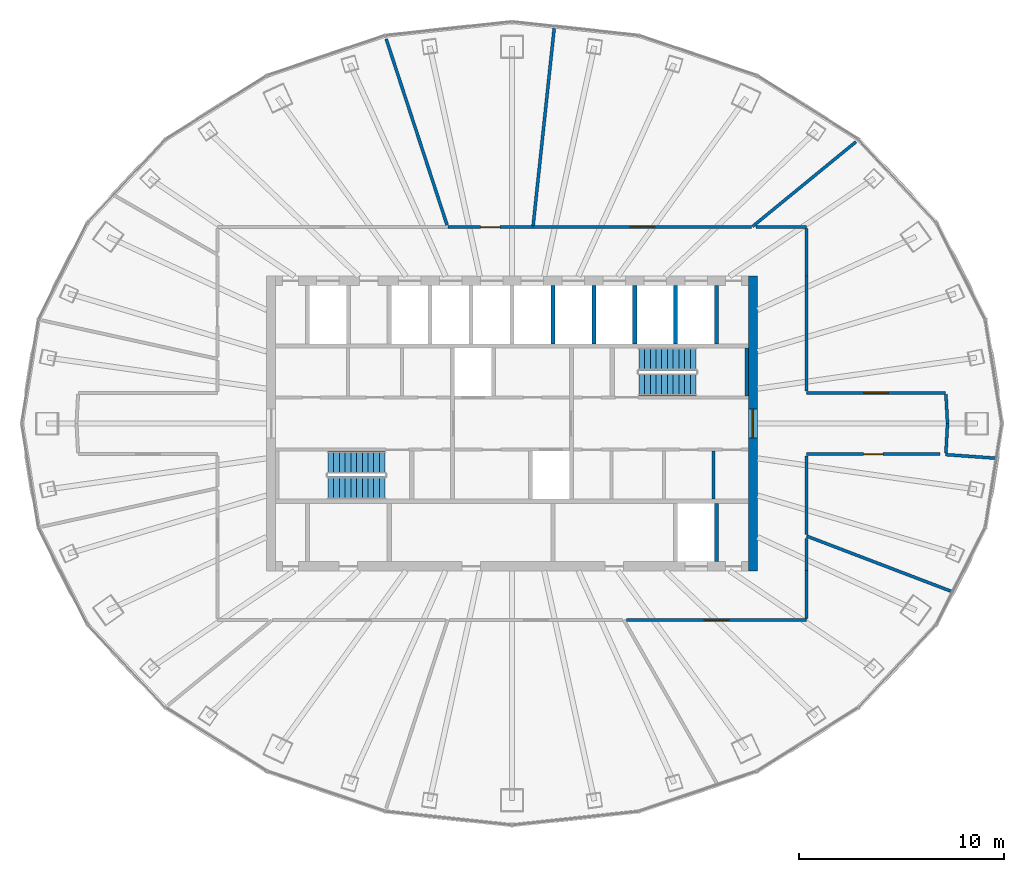
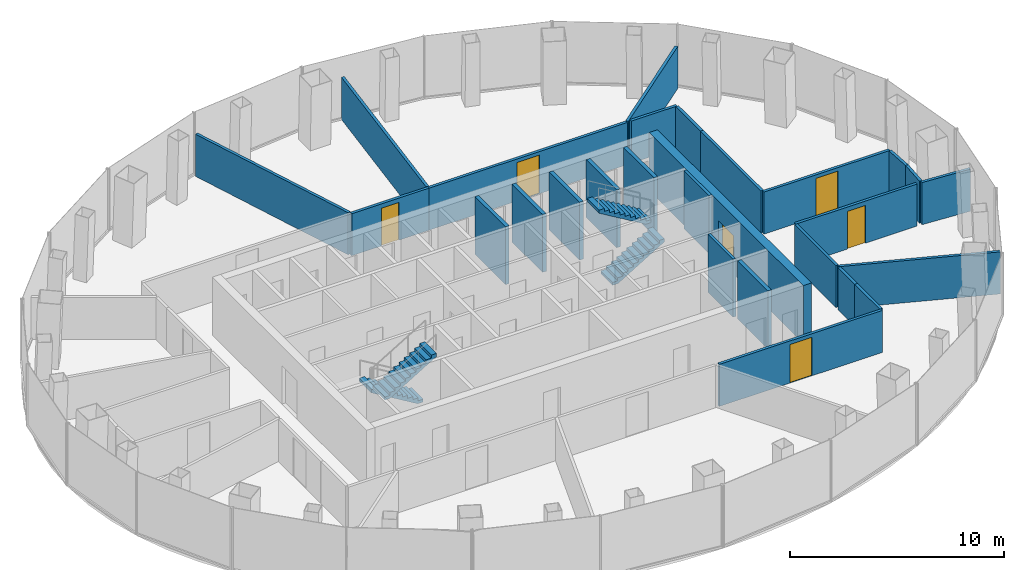
# One storey, part 9 of 10: 27 walls, 6 doors, 4 stair flights, 6 openings, 2 elements without a shape of their own.
"""IFC4 building model written with IfcOpenShell, lengths in metres."""

from ifc_helpers import new_model, si_unit, direction, frame, frame_2d, origin, place, context, subcontext, project, spatial, polyline, rectangle, outline, extrude, material, layer, layer_set, type_object, element, fill, aggregate, save


model = new_model("IFC4")

# Units and contexts
model_context = context("Model", 3, precision=1e-05, world=origin(), true_north=direction((0.0, 1.0)))
body_context = subcontext(model_context, "Body", "Model", "MODEL_VIEW")
ifc_project = project(units=[si_unit("LENGTHUNIT", "METRE"), si_unit("AREAUNIT", "SQUARE_METRE"), si_unit("VOLUMEUNIT", "CUBIC_METRE"), si_unit("PLANEANGLEUNIT", "RADIAN"), si_unit("MASSUNIT", "GRAM", prefix="KILO")], contexts=[model_context])

# Site, building, storey
site_placement = place(None, origin())
site = spatial("IfcSite", under=ifc_project, at=site_placement, CompositionType="ELEMENT")
building_placement = place(site_placement, origin())
building = spatial("IfcBuilding", under=site, at=building_placement, Name="Siaravel Broadcast Tower", CompositionType="ELEMENT")
storey_placement = place(building_placement, frame((0.0, 0.0, 164.5)))
storey = spatial("IfcBuildingStorey", under=building, at=storey_placement, Name="L39", CompositionType="ELEMENT", Elevation=164.5)

# Wall
ifc_material_1 = material(Name="Concrete blockwork", Category="masonry")
ifc_layer_1 = layer(ifc_material_1, 0.14990234375)
ifc_layer_set_1 = layer_set([ifc_layer_1], Name="Concrete blockwork")
wall_type_1 = type_object("IfcWallType", Name="Core partition 150", PredefinedType="PARTITIONING", material=ifc_layer_set_1)
wall_1_placement = place(storey_placement, frame((9.85498046875, -3.699951171875, 0.0), z_axis=(0.0, 0.0, 1.0), x_axis=(0.0, 1.0, 0.0)))
element("IfcWall", 1, at=wall_1_placement, inside=storey, type_object=wall_type_1, Name="L39 core partition PSE2", PredefinedType="PARTITIONING", context=body_context, shape_type="SweptSolid", body=[
    extrude(rectangle(XDim=2.349853515625, YDim=0.14990234375, at=frame_2d((1.1748046875, 0.0))), origin(), (0.0, 0.0, 1.0), 3.300048828125),
])

# Wall, opening, door
ifc_material_2 = material(Name="Concrete C60/75", Category="concrete")
ifc_layer_2 = layer(ifc_material_2, 0.449951171875)
ifc_layer_set_2 = layer_set([ifc_layer_2], Name="Concrete C60/75")
wall_type_2 = type_object("IfcWallType", Name="Core wall 450", PredefinedType="SHEAR", material=ifc_layer_set_2)
wall_2_placement = place(storey_placement, frame((11.77490234375, -7.199951171875, 0.0), z_axis=(0.0, 0.0, 1.0), x_axis=(0.0, 1.0, 0.0)))
wall_2 = element("IfcWall", 2, at=wall_2_placement, inside=storey, type_object=wall_type_2, Name="L39 core wall OE", PredefinedType="SHEAR", context=body_context, shape_type="SweptSolid", body=[
    extrude(rectangle(XDim=14.39990234375, YDim=0.449951171875, at=frame_2d((7.199951171875, 0.0))), origin(), (0.0, 0.0, 1.0), 3.300048828125),
])
opening_1_placement = place(wall_2_placement, frame((6.5, 0.0, 0.0)))
opening_1 = element("IfcOpeningElement", 3, at=opening_1_placement, cuts=wall_2, Name="Opening L39-DX-E", PredefinedType="OPENING", context=body_context, shape_type="SweptSolid", body=[
    extrude(rectangle(XDim=1.39990234375, YDim=2.199951171875, at=frame_2d((0.699951171875, 1.10009765625))), frame((0.0, 0.23486328125, 0.0), z_axis=(0.0, -1.0, 0.0), x_axis=(1.0, 0.0, 0.0)), (0.0, 0.0, 1.0), 0.469970703125),
])
ifc_material_3 = material(Name="Steel", Category="steel")
door_type_1 = type_object("IfcDoorType", Name="Core exit door 1400", OperationType="DOUBLE_DOOR_SINGLE_SWING", PredefinedType="DOOR", material=ifc_material_3)
door_1_placement = place(opening_1_placement, origin())
door_1 = element("IfcDoor", 4, at=door_1_placement, inside=storey, type_object=door_type_1, Name="L39 door DX-E", OperationType="DOUBLE_DOOR_SINGLE_SWING", OverallHeight=2.199951171875, OverallWidth=1.39990234375, PredefinedType="DOOR", context=body_context, shape_type="SweptSolid", body=[
    extrude(rectangle(XDim=1.39990234375, YDim=2.199951171875, at=frame_2d((0.699951171875, 1.10009765625))), frame((0.0, 0.02490234375, 0.0), z_axis=(0.0, -1.0, 0.0), x_axis=(1.0, 0.0, 0.0)), (0.0, 0.0, 1.0), 0.050048828125),
])
fill(opening_1, door_1)

ifc_material_4 = material(Name="Gypsum board partition", Category="gypsum")
ifc_layer_3 = layer(ifc_material_4, 0.14990234375)
ifc_layer_set_3 = layer_set([ifc_layer_3], Name="Gypsum board partition")
wall_type_3 = type_object("IfcWallType", Name="Corridor wall 150", PredefinedType="PARTITIONING", material=ifc_layer_set_3)
wall_3_placement = place(storey_placement, frame((11.719970703125, 9.60009765625, 0.0), z_axis=(0.0, 0.0, 1.0), x_axis=(-1.0, 0.0, 0.0)))
wall_3 = element("IfcWall", 5, at=wall_3_placement, inside=storey, type_object=wall_type_3, Name="L39 partition 2", PredefinedType="PARTITIONING", context=body_context, shape_type="SweptSolid", body=[
    extrude(rectangle(XDim=10.694580078125, YDim=0.14990234375, at=frame_2d((5.34716796875, 0.0))), origin(), (0.0, 0.0, 1.0), 2.39990234375),
])
opening_2_placement = place(wall_3_placement, frame((4.747314453125, 0.0, 0.0)))
opening_2 = element("IfcOpeningElement", 6, at=opening_2_placement, cuts=wall_3, Name="Opening L39-002", PredefinedType="OPENING", context=body_context, shape_type="SweptSolid", body=[
    extrude(rectangle(XDim=1.199951171875, YDim=2.199951171875, at=frame_2d((0.60009765625, 1.10009765625))), frame((0.0, 0.0849609375, 0.0), z_axis=(0.0, -1.0, 0.0), x_axis=(1.0, 0.0, 0.0)), (0.0, 0.0, 1.0), 0.169921875),
])
ifc_material_5 = material(Name="Timber veneer", Category="wood")
door_type_2 = type_object("IfcDoorType", Name="Office double door 1200", OperationType="DOUBLE_DOOR_SINGLE_SWING", PredefinedType="DOOR", material=ifc_material_5)
door_2_placement = place(opening_2_placement, origin())
door_2 = element("IfcDoor", 7, at=door_2_placement, inside=storey, type_object=door_type_2, Name="L39 door to Open plan office", OperationType="DOUBLE_DOOR_SINGLE_SWING", OverallHeight=2.199951171875, OverallWidth=1.199951171875, PredefinedType="DOOR", context=body_context, shape_type="SweptSolid", body=[
    extrude(rectangle(XDim=1.199951171875, YDim=2.199951171875, at=frame_2d((0.60009765625, 1.10009765625))), frame((0.0, 0.02490234375, 0.0), z_axis=(0.0, -1.0, 0.0), x_axis=(1.0, 0.0, 0.0)), (0.0, 0.0, 1.0), 0.050048828125),
])
fill(opening_2, door_2)

wall_4_placement = place(storey_placement, frame((5.59619140625, -9.60009765625, 0.0), z_axis=(0.0, 0.0, 1.0), x_axis=(1.0, 0.0, 0.0)))
wall_4 = element("IfcWall", 8, at=wall_4_placement, inside=storey, type_object=wall_type_3, Name="L39 partition 7", PredefinedType="PARTITIONING", context=body_context, shape_type="SweptSolid", body=[
    extrude(rectangle(XDim=8.8037109375, YDim=0.14990234375, at=frame_2d((4.40185546875, 0.0))), origin(), (0.0, 0.0, 1.0), 2.39990234375),
])
opening_3_placement = place(wall_4_placement, frame((3.802001953125, 0.0, 0.0)))
opening_3 = element("IfcOpeningElement", 9, at=opening_3_placement, cuts=wall_4, Name="Opening L39-010", PredefinedType="OPENING", context=body_context, shape_type="SweptSolid", body=[
    extrude(rectangle(XDim=1.199951171875, YDim=2.199951171875, at=frame_2d((0.60009765625, 1.10009765625))), frame((0.0, 0.0849609375, 0.0), z_axis=(0.0, -1.0, 0.0), x_axis=(1.0, 0.0, 0.0)), (0.0, 0.0, 1.0), 0.169921875),
])
door_3_placement = place(opening_3_placement, origin())
door_3 = element("IfcDoor", 10, at=door_3_placement, inside=storey, type_object=door_type_2, Name="L39 door to Open plan office", OperationType="DOUBLE_DOOR_SINGLE_SWING", OverallHeight=2.199951171875, OverallWidth=1.199951171875, PredefinedType="DOOR", context=body_context, shape_type="SweptSolid", body=[
    extrude(rectangle(XDim=1.199951171875, YDim=2.199951171875, at=frame_2d((0.60009765625, 1.10009765625))), frame((0.0, 0.02490234375, 0.0), z_axis=(0.0, -1.0, 0.0), x_axis=(1.0, 0.0, 0.0)), (0.0, 0.0, 1.0), 0.050048828125),
])
fill(opening_3, door_3)

wall_5_placement = place(storey_placement, frame((21.20166015625, 1.5, 0.0), z_axis=(0.0, 0.0, 1.0), x_axis=(-0.999999948, 0.000323148, 0.0)))
wall_5 = element("IfcWall", 11, at=wall_5_placement, inside=storey, type_object=wall_type_3, Name="L39 partition 15", PredefinedType="PARTITIONING", context=body_context, shape_type="SweptSolid", body=[
    extrude(rectangle(XDim=6.799560546875, YDim=0.14990234375, at=frame_2d((3.39990234375, 0.0))), origin(), (0.0, 0.0, 1.0), 2.39990234375),
])
opening_4_placement = place(wall_5_placement, frame((2.7998046875, 0.0, 0.0)))
opening_4 = element("IfcOpeningElement", 12, at=opening_4_placement, cuts=wall_5, Name="Opening L39-001", PredefinedType="OPENING", context=body_context, shape_type="SweptSolid", body=[
    extrude(rectangle(XDim=1.199951171875, YDim=2.199951171875, at=frame_2d((0.60009765625, 1.10009765625))), frame((0.0, 0.0849609375, 0.0), z_axis=(0.0, -1.0, 0.0), x_axis=(1.0, 0.0, 0.0)), (0.0, 0.0, 1.0), 0.169921875),
])
door_4_placement = place(opening_4_placement, origin())
door_4 = element("IfcDoor", 13, at=door_4_placement, inside=storey, type_object=door_type_2, Name="L39 door to Open plan office", OperationType="DOUBLE_DOOR_SINGLE_SWING", OverallHeight=2.199951171875, OverallWidth=1.199951171875, PredefinedType="DOOR", context=body_context, shape_type="SweptSolid", body=[
    extrude(rectangle(XDim=1.199951171875, YDim=2.199951171875, at=frame_2d((0.60009765625, 1.10009765625))), frame((0.0, 0.02490234375, 0.0), z_axis=(0.0, -1.0, 0.0), x_axis=(1.0, 0.0, 0.0)), (0.0, 0.0, 1.0), 0.050048828125),
])
fill(opening_4, door_4)

wall_6_placement = place(storey_placement, frame((14.39990234375, -1.5, 0.0), z_axis=(0.0, 0.0, 1.0), x_axis=(1.0, 0.0, 0.0)))
wall_6 = element("IfcWall", 14, at=wall_6_placement, inside=storey, type_object=wall_type_3, Name="L39 partition 18", PredefinedType="PARTITIONING", context=body_context, shape_type="SweptSolid", body=[
    extrude(rectangle(XDim=6.531982421875, YDim=0.14990234375, at=frame_2d((3.26611328125, 0.0))), origin(), (0.0, 0.0, 1.0), 2.39990234375),
])
opening_5_placement = place(wall_6_placement, frame((2.791015625, 0.0, 0.0)))
opening_5 = element("IfcOpeningElement", 15, at=opening_5_placement, cuts=wall_6, Name="Opening L39-011", PredefinedType="OPENING", context=body_context, shape_type="SweptSolid", body=[
    extrude(rectangle(XDim=0.949951171875, YDim=2.14990234375, at=frame_2d((0.47509765625, 1.074951171875))), frame((0.0, 0.0849609375, 0.0), z_axis=(0.0, -1.0, 0.0), x_axis=(1.0, 0.0, 0.0)), (0.0, 0.0, 1.0), 0.169921875),
])
door_type_3 = type_object("IfcDoorType", Name="Office door 950", OperationType="SINGLE_SWING_LEFT", PredefinedType="DOOR", material=ifc_material_5)
door_5_placement = place(opening_5_placement, origin())
door_5 = element("IfcDoor", 16, at=door_5_placement, inside=storey, type_object=door_type_3, Name="L39 door to Office", OperationType="SINGLE_SWING_LEFT", OverallHeight=2.14990234375, OverallWidth=0.949951171875, PredefinedType="DOOR", context=body_context, shape_type="SweptSolid", body=[
    extrude(rectangle(XDim=0.949951171875, YDim=2.14990234375, at=frame_2d((0.47509765625, 1.074951171875))), frame((0.0, 0.02490234375, 0.0), z_axis=(0.0, -1.0, 0.0), x_axis=(1.0, 0.0, 0.0)), (0.0, 0.0, 1.0), 0.050048828125),
])
fill(opening_5, door_5)

# Wall
wall_7_placement = place(storey_placement, frame((14.402099609375, 1.5791015625, 0.0), z_axis=(0.0, 0.0, 1.0), x_axis=(0.0, 1.0, 0.0)))
element("IfcWall", 17, at=wall_7_placement, inside=storey, type_object=wall_type_3, Name="L39 partition 20", PredefinedType="PARTITIONING", context=body_context, shape_type="SweptSolid", body=[
    extrude(rectangle(XDim=5.6328125, YDim=0.14990234375, at=frame_2d((2.81640625, 0.0))), origin(), (0.0, 0.0, 1.0), 2.39990234375),
])

# Wall, opening, door
wall_8_placement = place(storey_placement, frame((1.025390625, 9.60009765625, 0.0), z_axis=(0.0, 0.0, 1.0), x_axis=(-1.0, 0.0, 0.0)))
wall_8 = element("IfcWall", 18, at=wall_8_placement, inside=storey, type_object=wall_type_3, Name="L39 partition 21", PredefinedType="PARTITIONING", context=body_context, shape_type="SweptSolid", body=[
    extrude(rectangle(XDim=4.164794921875, YDim=0.14990234375, at=frame_2d((2.08251953125, 0.0))), origin(), (0.0, 0.0, 1.0), 2.39990234375),
])
opening_6_placement = place(wall_8_placement, frame((1.607421875, 0.0, 0.0)))
opening_6 = element("IfcOpeningElement", 19, at=opening_6_placement, cuts=wall_8, Name="Opening L39-003", PredefinedType="OPENING", context=body_context, shape_type="SweptSolid", body=[
    extrude(rectangle(XDim=0.949951171875, YDim=2.14990234375, at=frame_2d((0.47509765625, 1.074951171875))), frame((0.0, 0.0849609375, 0.0), z_axis=(0.0, -1.0, 0.0), x_axis=(1.0, 0.0, 0.0)), (0.0, 0.0, 1.0), 0.169921875),
])
door_6_placement = place(opening_6_placement, origin())
door_6 = element("IfcDoor", 20, at=door_6_placement, inside=storey, type_object=door_type_3, Name="L39 door to Reception", OperationType="SINGLE_SWING_LEFT", OverallHeight=2.14990234375, OverallWidth=0.949951171875, PredefinedType="DOOR", context=body_context, shape_type="SweptSolid", body=[
    extrude(rectangle(XDim=0.949951171875, YDim=2.14990234375, at=frame_2d((0.47509765625, 1.074951171875))), frame((0.0, 0.02490234375, 0.0), z_axis=(0.0, -1.0, 0.0), x_axis=(1.0, 0.0, 0.0)), (0.0, 0.0, 1.0), 0.050048828125),
])
fill(opening_6, door_6)

# Walls
wall_9_placement = place(storey_placement, frame((14.39990234375, -5.42822265625, 0.0), z_axis=(0.0, 0.0, 1.0), x_axis=(0.0, 1.0, 0.0)))
element("IfcWall", 21, at=wall_9_placement, inside=storey, type_object=wall_type_3, Name="L39 partition 24", PredefinedType="PARTITIONING", context=body_context, shape_type="SweptSolid", body=[
    extrude(rectangle(XDim=3.851318359375, YDim=0.14990234375, at=frame_2d((1.92578125, 0.0))), origin(), (0.0, 0.0, 1.0), 2.39990234375),
])
wall_10_placement = place(storey_placement, frame((14.402099609375, 9.60205078125, 0.0), z_axis=(0.0, 0.0, 1.0), x_axis=(-1.0, 0.0, 0.0)))
element("IfcWall", 22, at=wall_10_placement, inside=storey, type_object=wall_type_3, Name="L39 partition 26", PredefinedType="PARTITIONING", context=body_context, shape_type="SweptSolid", body=[
    extrude(rectangle(XDim=2.4677734375, YDim=0.14990234375, at=frame_2d((1.23388671875, 0.0))), origin(), (0.0, 0.0, 1.0), 2.39990234375),
])
wall_11_placement = place(storey_placement, frame((14.402099609375, 7.212890625, 0.0), z_axis=(0.0, 0.0, 1.0), x_axis=(0.0, 1.0, 0.0)))
element("IfcWall", 23, at=wall_11_placement, inside=storey, type_object=wall_type_3, Name="L39 partition 28", PredefinedType="PARTITIONING", context=body_context, shape_type="SweptSolid", body=[
    extrude(rectangle(XDim=2.31201171875, YDim=0.14990234375, at=frame_2d((1.156005859375, 0.0))), origin(), (0.0, 0.0, 1.0), 2.39990234375),
])
wall_12_placement = place(storey_placement, frame((14.39990234375, -9.52294921875, 0.0), z_axis=(0.0, 0.0, 1.0), x_axis=(0.0, 1.0, 0.0)))
element("IfcWall", 24, at=wall_12_placement, inside=storey, type_object=wall_type_3, Name="L39 partition 30", PredefinedType="PARTITIONING", context=body_context, shape_type="SweptSolid", body=[
    extrude(rectangle(XDim=2.3349609375, YDim=0.14990234375, at=frame_2d((1.16748046875, 0.0))), origin(), (0.0, 0.0, 1.0), 2.39990234375),
])
wall_13_placement = place(storey_placement, frame((14.39990234375, -7.18701171875, 0.0), z_axis=(0.0, 0.0, 1.0), x_axis=(0.0, 1.0, 0.0)))
element("IfcWall", 25, at=wall_13_placement, inside=storey, type_object=wall_type_3, Name="L39 partition 31", PredefinedType="PARTITIONING", context=body_context, shape_type="SweptSolid", body=[
    extrude(rectangle(XDim=1.575927734375, YDim=0.14990234375, at=frame_2d((0.7880859375, 0.0))), origin(), (0.0, 0.0, 1.0), 2.39990234375),
])
wall_14_placement = place(storey_placement, frame((21.21240234375, -1.442626953125, 0.0), z_axis=(0.0, 0.0, 1.0), x_axis=(0.053232927, 0.998582123, 0.0)))
element("IfcWall", 26, at=wall_14_placement, inside=storey, type_object=wall_type_3, Name="L39 partition 34", PredefinedType="PARTITIONING", context=body_context, shape_type="SweptSolid", body=[
    extrude(rectangle(XDim=1.444580078125, YDim=0.14990234375, at=frame_2d((0.72216796875, 0.0))), origin(), (0.0, 0.0, 1.0), 2.39990234375),
])
wall_15_placement = place(storey_placement, frame((21.288818359375, 0.010009765625, 0.0), z_axis=(0.0, 0.0, 1.0), x_axis=(-0.053271351, 0.998580073, 0.0)))
element("IfcWall", 27, at=wall_15_placement, inside=storey, type_object=wall_type_3, Name="L39 partition 37", PredefinedType="PARTITIONING", context=body_context, shape_type="SweptSolid", body=[
    extrude(rectangle(XDim=1.420654296875, YDim=0.14990234375, at=frame_2d((0.71044921875, 0.0))), origin(), (0.0, 0.0, 1.0), 2.39990234375),
])
ifc_layer_4 = layer(ifc_material_4, 0.14990234375)
ifc_layer_set_4 = layer_set([ifc_layer_4], Name="Gypsum board partition")
wall_type_4 = type_object("IfcWallType", Name="Room partition 150", PredefinedType="PARTITIONING", material=ifc_layer_set_4)
wall_16_placement = place(storey_placement, frame((2.0712890625, 19.393310546875, 0.0), z_axis=(0.0, 0.0, 1.0), x_axis=(-0.106198491, -0.99434495, 0.0)))
element("IfcWall", 28, at=wall_16_placement, inside=storey, type_object=wall_type_4, Name="L39 partition 3", PredefinedType="PARTITIONING", context=body_context, shape_type="SweptSolid", body=[
    extrude(rectangle(XDim=9.763427734375, YDim=0.14990234375, at=frame_2d((4.8818359375, 0.0))), origin(), (0.0, 0.0, 1.0), 2.39990234375),
])
wall_17_placement = place(storey_placement, frame((-6.151611328125, 18.804931640625, 0.0), z_axis=(0.0, 0.0, 1.0), x_axis=(0.310924377, -0.950434654, 0.0)))
element("IfcWall", 29, at=wall_17_placement, inside=storey, type_object=wall_type_4, Name="L39 partition 5", PredefinedType="PARTITIONING", context=body_context, shape_type="SweptSolid", body=[
    extrude(rectangle(XDim=9.57958984375, YDim=0.14990234375, at=frame_2d((4.789794921875, 0.0))), origin(), (0.0, 0.0, 1.0), 2.39990234375),
])
wall_18_placement = place(storey_placement, frame((21.559814453125, -8.235107421875, 0.0), z_axis=(0.0, 0.0, 1.0), x_axis=(-0.93417148, 0.356824391, 0.0)))
element("IfcWall", 30, at=wall_18_placement, inside=storey, type_object=wall_type_4, Name="L39 partition 12", PredefinedType="PARTITIONING", context=body_context, shape_type="SweptSolid", body=[
    extrude(rectangle(XDim=7.66455078125, YDim=0.14990234375, at=frame_2d((3.832275390625, 0.0))), origin(), (0.0, 0.0, 1.0), 2.39990234375),
])
wall_19_placement = place(storey_placement, frame((16.8134765625, 13.772216796875, 0.0), z_axis=(0.0, 0.0, 1.0), x_axis=(-0.773595956, -0.633679175, 0.0)))
element("IfcWall", 31, at=wall_19_placement, inside=storey, type_object=wall_type_4, Name="L39 partition 17", PredefinedType="PARTITIONING", context=body_context, shape_type="SweptSolid", body=[
    extrude(rectangle(XDim=6.53466796875, YDim=0.14990234375, at=frame_2d((3.267333984375, 0.0))), origin(), (0.0, 0.0, 1.0), 2.39990234375),
])
wall_20_placement = place(storey_placement, frame((21.1962890625, -1.51904296875, 0.0), z_axis=(0.0, 0.0, 1.0), x_axis=(0.997445362, -0.071433532, 0.0)))
element("IfcWall", 32, at=wall_20_placement, inside=storey, type_object=wall_type_4, Name="L39 partition 27", PredefinedType="PARTITIONING", context=body_context, shape_type="SweptSolid", body=[
    extrude(rectangle(XDim=2.511962890625, YDim=0.14990234375, at=frame_2d((1.255859375, 0.0))), origin(), (0.0, 0.0, 1.0), 2.39990234375),
])
ifc_layer_5 = layer(ifc_material_2, 0.14990234375)
ifc_layer_set_5 = layer_set([ifc_layer_5], Name="Concrete C60/75")
wall_type_5 = type_object("IfcWallType", Name="Shaft wall 150", PredefinedType="SHEAR", material=ifc_layer_set_5)
wall_21_placement = place(storey_placement, frame((11.47509765625, 1.35009765625, 0.0), z_axis=(0.0, 0.0, 1.0), x_axis=(0.0, 1.0, 0.0)))
element("IfcWall", 33, at=wall_21_placement, inside=storey, type_object=wall_type_5, Name="L39 core wall ST2E", PredefinedType="SHEAR", context=body_context, shape_type="SweptSolid", body=[
    extrude(rectangle(XDim=2.349853515625, YDim=0.14990234375, at=frame_2d((1.1748046875, 0.0))), origin(), (0.0, 0.0, 1.0), 3.300048828125),
])
ifc_layer_6 = layer(ifc_material_2, 0.199951171875)
ifc_layer_set_6 = layer_set([ifc_layer_6], Name="Concrete C60/75")
wall_type_6 = type_object("IfcWallType", Name="Shaft wall 200", PredefinedType="SHEAR", material=ifc_layer_set_6)
for number, where, z_axis, x_axis, name in (
    (34, (10.0, -6.75, 0.0), (0.0, 0.0, 1.0), (0.0, 1.0, 0.0), "L39 core wall SWS10"),
    (35, (2.0, 3.89990234375, 0.0), (0.0, 0.0, 1.0), (0.0, 1.0, 0.0), "L39 core wall SWN6"),
    (36, (4.0, 3.89990234375, 0.0), (0.0, 0.0, 1.0), (0.0, 1.0, 0.0), "L39 core wall SWN7"),
    (37, (6.0, 3.89990234375, 0.0), (0.0, 0.0, 1.0), (0.0, 1.0, 0.0), "L39 core wall SWN8"),
    (38, (8.0, 3.89990234375, 0.0), (0.0, 0.0, 1.0), (0.0, 1.0, 0.0), "L39 core wall SWN9"),
    (39, (10.0, 3.89990234375, 0.0), (0.0, 0.0, 1.0), (0.0, 1.0, 0.0), "L39 core wall SWN10"),
):
    element("IfcWall", number, at=place(storey_placement, frame(where, z_axis=z_axis, x_axis=x_axis)), inside=storey, type_object=wall_type_6, Name=name, PredefinedType="SHEAR", context=body_context, shape_type="SweptSolid", body=[
        extrude(rectangle(XDim=2.85009765625, YDim=0.199951171875, at=frame_2d((1.425048828125, 0.0))), origin(), (0.0, 0.0, 1.0), 3.300048828125),
    ])

# Stair, stair flights
ifc_material_6 = material(Name="Concrete C40/50", Category="concrete")
stair_type = type_object("IfcStairType", Name="Core exit stair", PredefinedType="HALF_TURN_STAIR", material=ifc_material_6)
stair_1_placement = place(storey_placement, origin())
stair_1 = element("IfcStair", 40, at=stair_1_placement, inside=storey, type_object=stair_type, Name="L39 Exit stair ST-1", PredefinedType="HALF_TURN_STAIR")
stair_flight_type = type_object("IfcStairFlightType", Name="Stair flight 1100", PredefinedType="STRAIGHT", material=ifc_material_6)
stair_flight_1_placement = place(storey_placement, frame((-6.199951171875, -1.89990234375, 0.0), z_axis=(0.0, 0.0, 1.0), x_axis=(-1.0, 0.0, 0.0)))
stair_flight_1 = element("IfcStairFlight", 41, at=stair_flight_1_placement, type_object=stair_flight_type, Name="ST-1 flight 1", NumberOfRisers=11, NumberOfTreads=10, PredefinedType="STRAIGHT", RiserHeight=0.1681818, TreadLength=0.28, context=body_context, shape_type="SweptSolid", body=[
    extrude(outline(polyline([(0.0, 0.0), (0.0, 0.168212890625), (0.280029296875, 0.168212890625), (0.280029296875, 0.33642578125), (0.56005859375, 0.33642578125), (0.56005859375, 0.504638671875), (0.840087890625, 0.504638671875), (0.840087890625, 0.672607421875), (1.1201171875, 0.672607421875), (1.1201171875, 0.8408203125), (1.39990234375, 0.8408203125), (1.39990234375, 1.009033203125), (1.679931640625, 1.009033203125), (1.679931640625, 1.17724609375), (1.9599609375, 1.17724609375), (1.9599609375, 1.345458984375), (2.239990234375, 1.345458984375), (2.239990234375, 1.513671875), (2.52001953125, 1.513671875), (2.52001953125, 1.681884765625), (2.800048828125, 1.681884765625), (2.800048828125, 1.85009765625), (2.800048828125, 1.5068359375), (0.291015625, 0.0), (0.0, 0.0)])), frame((0.0, 0.550048828125, 0.0), z_axis=(0.0, -1.0, 0.0), x_axis=(1.0, 0.0, 0.0)), (0.0, 0.0, 1.0), 1.10009765625),
])
stair_flight_2_placement = place(storey_placement, frame((-9.0, -3.14990234375, 1.85009765625), z_axis=(0.0, 0.0, 1.0), x_axis=(1.0, 0.0, 0.0)))
stair_flight_2 = element("IfcStairFlight", 42, at=stair_flight_2_placement, type_object=stair_flight_type, Name="ST-1 flight 2", NumberOfRisers=11, NumberOfTreads=10, PredefinedType="STRAIGHT", RiserHeight=0.1681818, TreadLength=0.28, context=body_context, shape_type="SweptSolid", body=[
    extrude(outline(polyline([(0.0, 0.0), (0.0, 0.168212890625), (0.280029296875, 0.168212890625), (0.280029296875, 0.33642578125), (0.56005859375, 0.33642578125), (0.56005859375, 0.504638671875), (0.840087890625, 0.504638671875), (0.840087890625, 0.672607421875), (1.1201171875, 0.672607421875), (1.1201171875, 0.8408203125), (1.39990234375, 0.8408203125), (1.39990234375, 1.009033203125), (1.679931640625, 1.009033203125), (1.679931640625, 1.17724609375), (1.9599609375, 1.17724609375), (1.9599609375, 1.345458984375), (2.239990234375, 1.345458984375), (2.239990234375, 1.513671875), (2.52001953125, 1.513671875), (2.52001953125, 1.681884765625), (2.800048828125, 1.681884765625), (2.800048828125, 1.85009765625), (2.800048828125, 1.5068359375), (0.291015625, 0.0), (0.0, 0.0)])), frame((0.0, 0.550048828125, 0.0), z_axis=(0.0, -1.0, 0.0), x_axis=(1.0, 0.0, 0.0)), (0.0, 0.0, 1.0), 1.10009765625),
])
aggregate(stair_1, [stair_flight_1, stair_flight_2])

stair_2_placement = place(storey_placement, origin())
stair_2 = element("IfcStair", 43, at=stair_2_placement, inside=storey, type_object=stair_type, Name="L39 Exit stair ST-2", PredefinedType="HALF_TURN_STAIR")
stair_flight_3_placement = place(storey_placement, frame((6.199951171875, 1.89990234375, 0.0), z_axis=(0.0, 0.0, 1.0), x_axis=(1.0, 0.0, 0.0)))
stair_flight_3 = element("IfcStairFlight", 44, at=stair_flight_3_placement, type_object=stair_flight_type, Name="ST-2 flight 1", NumberOfRisers=11, NumberOfTreads=10, PredefinedType="STRAIGHT", RiserHeight=0.1681818, TreadLength=0.28, context=body_context, shape_type="SweptSolid", body=[
    extrude(outline(polyline([(0.0, 0.0), (0.0, 0.168212890625), (0.280029296875, 0.168212890625), (0.280029296875, 0.33642578125), (0.56005859375, 0.33642578125), (0.56005859375, 0.504638671875), (0.840087890625, 0.504638671875), (0.840087890625, 0.672607421875), (1.1201171875, 0.672607421875), (1.1201171875, 0.8408203125), (1.39990234375, 0.8408203125), (1.39990234375, 1.009033203125), (1.679931640625, 1.009033203125), (1.679931640625, 1.17724609375), (1.9599609375, 1.17724609375), (1.9599609375, 1.345458984375), (2.239990234375, 1.345458984375), (2.239990234375, 1.513671875), (2.52001953125, 1.513671875), (2.52001953125, 1.681884765625), (2.800048828125, 1.681884765625), (2.800048828125, 1.85009765625), (2.800048828125, 1.5068359375), (0.291015625, 0.0), (0.0, 0.0)])), frame((0.0, 0.550048828125, 0.0), z_axis=(0.0, -1.0, 0.0), x_axis=(1.0, 0.0, 0.0)), (0.0, 0.0, 1.0), 1.10009765625),
])
stair_flight_4_placement = place(storey_placement, frame((9.0, 3.14990234375, 1.85009765625), z_axis=(0.0, 0.0, 1.0), x_axis=(-1.0, 0.0, 0.0)))
stair_flight_4 = element("IfcStairFlight", 45, at=stair_flight_4_placement, type_object=stair_flight_type, Name="ST-2 flight 2", NumberOfRisers=11, NumberOfTreads=10, PredefinedType="STRAIGHT", RiserHeight=0.1681818, TreadLength=0.28, context=body_context, shape_type="SweptSolid", body=[
    extrude(outline(polyline([(0.0, 0.0), (0.0, 0.168212890625), (0.280029296875, 0.168212890625), (0.280029296875, 0.33642578125), (0.56005859375, 0.33642578125), (0.56005859375, 0.504638671875), (0.840087890625, 0.504638671875), (0.840087890625, 0.672607421875), (1.1201171875, 0.672607421875), (1.1201171875, 0.8408203125), (1.39990234375, 0.8408203125), (1.39990234375, 1.009033203125), (1.679931640625, 1.009033203125), (1.679931640625, 1.17724609375), (1.9599609375, 1.17724609375), (1.9599609375, 1.345458984375), (2.239990234375, 1.345458984375), (2.239990234375, 1.513671875), (2.52001953125, 1.513671875), (2.52001953125, 1.681884765625), (2.800048828125, 1.681884765625), (2.800048828125, 1.85009765625), (2.800048828125, 1.5068359375), (0.291015625, 0.0), (0.0, 0.0)])), frame((0.0, 0.550048828125, 0.0), z_axis=(0.0, -1.0, 0.0), x_axis=(1.0, 0.0, 0.0)), (0.0, 0.0, 1.0), 1.10009765625),
])
aggregate(stair_2, [stair_flight_3, stair_flight_4])

save(model, "model.ifc")
